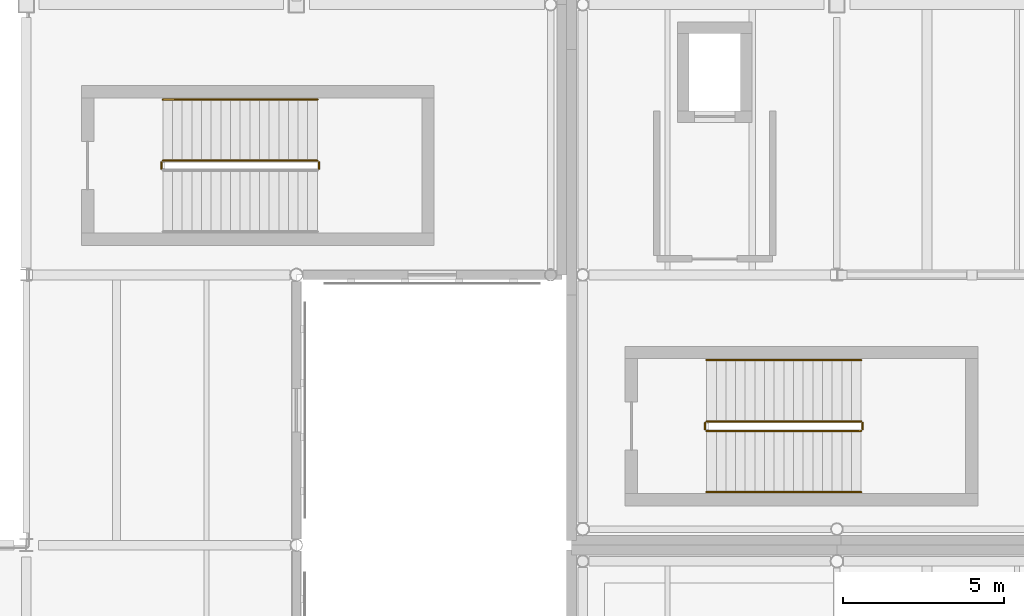
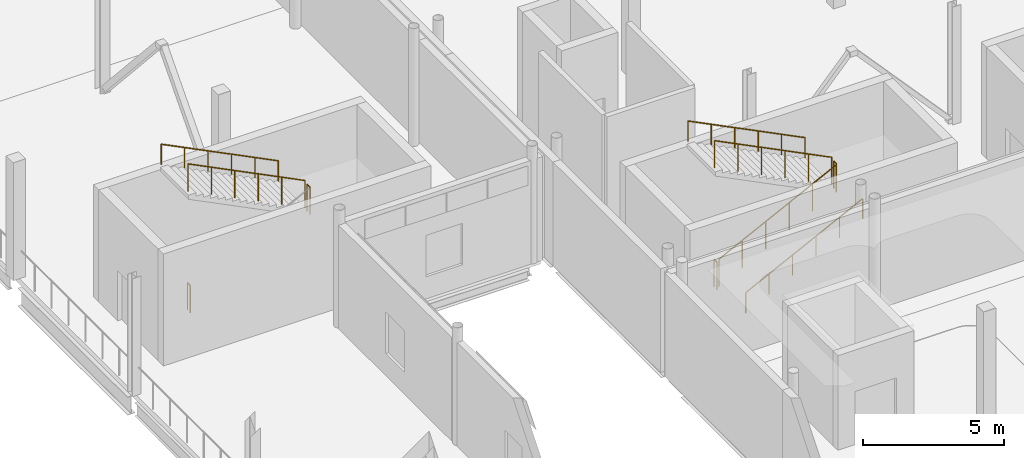
# One storey, part 93 of 104: 10 railings.
"""IFC4 building model written with IfcOpenShell, lengths in metres."""

from ifc_helpers import new_model, si_unit, direction, frame, origin, origin_2d, place, context, subcontext, project, spatial, circle, extrude, material, type_object, element, save


model = new_model("IFC4")

# Units and contexts
model_context = context("Model", 3, precision=1e-05, world=origin(), true_north=direction((0.0, 1.0)))
body_context = subcontext(model_context, "Body", "Model", "MODEL_VIEW")
ifc_project = project(units=[si_unit("LENGTHUNIT", "METRE"), si_unit("AREAUNIT", "SQUARE_METRE"), si_unit("VOLUMEUNIT", "CUBIC_METRE"), si_unit("PLANEANGLEUNIT", "RADIAN"), si_unit("MASSUNIT", "GRAM", prefix="KILO"), si_unit("THERMODYNAMICTEMPERATUREUNIT", "KELVIN")], contexts=[model_context])

# Site, building, storey
site_placement = place(None, origin())
site = spatial("IfcSite", under=ifc_project, at=site_placement, CompositionType="ELEMENT")
building_placement = place(site_placement, origin())
building = spatial("IfcBuilding", under=site, at=building_placement, Name="Lustrewick Department Store", CompositionType="ELEMENT")
storey_placement = place(building_placement, frame((0.0, 0.0, 11.39990234375)))
storey = spatial("IfcBuildingStorey", under=building, at=storey_placement, Name="L03", CompositionType="ELEMENT", Elevation=11.39990234375)

# Railings
ifc_material_1 = material(Name="Painted tubular steel stairwell guardrail", Category="steel")
railing_type_1 = type_object("IfcRailingType", Name="RL-STG", PredefinedType="GUARDRAIL", material=ifc_material_1)
railing_1_placement = place(storey_placement, frame((101.5, 62.10009765625, 2.550048828125)))
element("IfcRailing", 1, at=railing_1_placement, inside=storey, type_object=railing_type_1, Name="L03 ST05 Stair Guard 2", PredefinedType="GUARDRAIL", context=body_context, shape_type="SweptSolid", body=[
    extrude(circle(Radius=0.02392578125, at=origin_2d()), frame((0.0, 0.0, 1.17578125), z_axis=(0.0, 1.0, 0.0), x_axis=(-1.0, 0.0, 0.0)), (0.0, 0.0, 1.0), 0.199951171875),
    extrude(circle(Radius=0.02099609375, at=origin_2d()), origin(), (0.0, 0.0, 1.0), 1.15185546875),
    extrude(circle(Radius=0.02099609375, at=origin_2d()), frame((0.0, 0.199951171875, 0.0)), (0.0, 0.0, 1.0), 1.15185546875),
])
railing_2_placement = place(storey_placement, frame((101.449951171875, 62.35009765625, 2.7001953125)))
element("IfcRailing", 2, at=railing_2_placement, inside=storey, type_object=railing_type_1, Name="L03 ST05 Stair Guard 3", PredefinedType="GUARDRAIL", context=body_context, shape_type="SweptSolid", body=[
    extrude(circle(Radius=0.02392578125, at=origin_2d()), frame((0.0, 0.0, 1.17578125), z_axis=(-0.894436289399, 0.0, 0.44719539824), x_axis=(0.0, -1.0, 0.0)), (0.0, 0.0, 1.0), 5.366455078125),
    extrude(circle(Radius=0.02099609375, at=origin_2d()), origin(), (0.0, 0.0, 1.0), 1.15185546875),
    extrude(circle(Radius=0.02099609375, at=origin_2d()), frame((-0.9599609375, 0.0, 0.47998046875)), (0.0, 0.0, 1.0), 1.15185546875),
    extrude(circle(Radius=0.02099609375, at=origin_2d()), frame((-1.919921875, 0.0, 0.9599609375)), (0.0, 0.0, 1.0), 1.15185546875),
    extrude(circle(Radius=0.02099609375, at=origin_2d()), frame((-2.880126953125, 0.0, 1.43994140625)), (0.0, 0.0, 1.0), 1.15185546875),
    extrude(circle(Radius=0.02099609375, at=origin_2d()), frame((-3.840087890625, 0.0, 1.919921875)), (0.0, 0.0, 1.0), 1.15185546875),
    extrude(circle(Radius=0.02099609375, at=origin_2d()), frame((-4.800048828125, 0.0, 2.39990234375)), (0.0, 0.0, 1.0), 1.15185546875),
])
railing_3_placement = place(storey_placement, frame((96.60009765625, 62.10009765625, 0.0)))
element("IfcRailing", 3, at=railing_3_placement, inside=storey, type_object=railing_type_1, Name="L03 ST05 Stair Guard 4", PredefinedType="GUARDRAIL", context=body_context, shape_type="SweptSolid", body=[
    extrude(circle(Radius=0.02392578125, at=origin_2d()), frame((0.0, 0.0, 1.17578125), z_axis=(0.0, 1.0, 0.0), x_axis=(-1.0, 0.0, 0.0)), (0.0, 0.0, 1.0), 0.199951171875),
    extrude(circle(Radius=0.02099609375, at=origin_2d()), origin(), (0.0, 0.0, 1.0), 1.15185546875),
    extrude(circle(Radius=0.02099609375, at=origin_2d()), frame((0.0, 0.199951171875, 0.0)), (0.0, 0.0, 1.0), 1.15185546875),
])
railing_4_placement = place(storey_placement, frame((113.550048828125, 53.949951171875, 0.150146484375)))
element("IfcRailing", 4, at=railing_4_placement, inside=storey, type_object=railing_type_1, Name="L03 ST09 Stair Guard 1", PredefinedType="GUARDRAIL", context=body_context, shape_type="SweptSolid", body=[
    extrude(circle(Radius=0.02392578125, at=origin_2d()), frame((0.0, 0.0, 1.17578125), z_axis=(0.894436289399, 0.0, 0.44719539824), x_axis=(0.0, 1.0, 0.0)), (0.0, 0.0, 1.0), 5.366455078125),
    extrude(circle(Radius=0.02099609375, at=origin_2d()), origin(), (0.0, 0.0, 1.0), 1.15185546875),
    extrude(circle(Radius=0.02099609375, at=origin_2d()), frame((0.9599609375, 0.0, 0.47998046875)), (0.0, 0.0, 1.0), 1.15185546875),
    extrude(circle(Radius=0.02099609375, at=origin_2d()), frame((1.919921875, 0.0, 0.9599609375)), (0.0, 0.0, 1.0), 1.15185546875),
    extrude(circle(Radius=0.02099609375, at=origin_2d()), frame((2.880126953125, 0.0, 1.43994140625)), (0.0, 0.0, 1.0), 1.15185546875),
    extrude(circle(Radius=0.02099609375, at=origin_2d()), frame((3.840087890625, 0.0, 1.919921875)), (0.0, 0.0, 1.0), 1.15185546875),
    extrude(circle(Radius=0.02099609375, at=origin_2d()), frame((4.800048828125, 0.0, 2.39990234375)), (0.0, 0.0, 1.0), 1.15185546875),
])
railing_5_placement = place(storey_placement, frame((118.39990234375, 54.0, 2.550048828125)))
element("IfcRailing", 5, at=railing_5_placement, inside=storey, type_object=railing_type_1, Name="L03 ST09 Stair Guard 2", PredefinedType="GUARDRAIL", context=body_context, shape_type="SweptSolid", body=[
    extrude(circle(Radius=0.02392578125, at=origin_2d()), frame((0.0, 0.0, 1.17578125), z_axis=(0.0, 1.0, 0.0), x_axis=(-1.0, 0.0, 0.0)), (0.0, 0.0, 1.0), 0.199951171875),
    extrude(circle(Radius=0.02099609375, at=origin_2d()), origin(), (0.0, 0.0, 1.0), 1.15185546875),
    extrude(circle(Radius=0.02099609375, at=origin_2d()), frame((0.0, 0.199951171875, 0.0)), (0.0, 0.0, 1.0), 1.15185546875),
])
railing_6_placement = place(storey_placement, frame((118.35009765625, 54.25, 2.7001953125)))
element("IfcRailing", 6, at=railing_6_placement, inside=storey, type_object=railing_type_1, Name="L03 ST09 Stair Guard 3", PredefinedType="GUARDRAIL", context=body_context, shape_type="SweptSolid", body=[
    extrude(circle(Radius=0.02392578125, at=origin_2d()), frame((0.0, 0.0, 1.17578125), z_axis=(-0.894436289399, 0.0, 0.44719539824), x_axis=(0.0, -1.0, 0.0)), (0.0, 0.0, 1.0), 5.366455078125),
    extrude(circle(Radius=0.02099609375, at=origin_2d()), origin(), (0.0, 0.0, 1.0), 1.15185546875),
    extrude(circle(Radius=0.02099609375, at=origin_2d()), frame((-0.9599609375, 0.0, 0.47998046875)), (0.0, 0.0, 1.0), 1.15185546875),
    extrude(circle(Radius=0.02099609375, at=origin_2d()), frame((-1.919921875, 0.0, 0.9599609375)), (0.0, 0.0, 1.0), 1.15185546875),
    extrude(circle(Radius=0.02099609375, at=origin_2d()), frame((-2.880126953125, 0.0, 1.43994140625)), (0.0, 0.0, 1.0), 1.15185546875),
    extrude(circle(Radius=0.02099609375, at=origin_2d()), frame((-3.840087890625, 0.0, 1.919921875)), (0.0, 0.0, 1.0), 1.15185546875),
    extrude(circle(Radius=0.02099609375, at=origin_2d()), frame((-4.800048828125, 0.0, 2.39990234375)), (0.0, 0.0, 1.0), 1.15185546875),
])
railing_7_placement = place(storey_placement, frame((113.5, 54.0, 0.0)))
element("IfcRailing", 7, at=railing_7_placement, inside=storey, type_object=railing_type_1, Name="L03 ST09 Stair Guard 4", PredefinedType="GUARDRAIL", context=body_context, shape_type="SweptSolid", body=[
    extrude(circle(Radius=0.02392578125, at=origin_2d()), frame((0.0, 0.0, 1.17578125), z_axis=(0.0, 1.0, 0.0), x_axis=(-1.0, 0.0, 0.0)), (0.0, 0.0, 1.0), 0.199951171875),
    extrude(circle(Radius=0.02099609375, at=origin_2d()), origin(), (0.0, 0.0, 1.0), 1.15185546875),
    extrude(circle(Radius=0.02099609375, at=origin_2d()), frame((0.0, 0.199951171875, 0.0)), (0.0, 0.0, 1.0), 1.15185546875),
])
ifc_material_2 = material(Name="Brushed stainless steel wall handrail", Category="steel")
railing_type_2 = type_object("IfcRailingType", Name="RL-STH", PredefinedType="HANDRAIL", material=ifc_material_2)
railing_8_placement = place(storey_placement, frame((101.449951171875, 64.25, 2.7001953125)))
element("IfcRailing", 8, at=railing_8_placement, inside=storey, type_object=railing_type_2, Name="L03 ST05 Stair Handrail 2", PredefinedType="HANDRAIL", context=body_context, shape_type="SweptSolid", body=[
    extrude(circle(Radius=0.02392578125, at=origin_2d()), frame((0.0, 0.0, 0.8759765625), z_axis=(-0.894436289399, 0.0, 0.44719539824), x_axis=(0.0, -1.0, 0.0)), (0.0, 0.0, 1.0), 5.366455078125),
    extrude(circle(Radius=0.02099609375, at=origin_2d()), origin(), (0.0, 0.0, 1.0), 0.851806640625),
    extrude(circle(Radius=0.02099609375, at=origin_2d()), frame((-0.9599609375, 0.0, 0.47998046875)), (0.0, 0.0, 1.0), 0.851806640625),
    extrude(circle(Radius=0.02099609375, at=origin_2d()), frame((-1.919921875, 0.0, 0.9599609375)), (0.0, 0.0, 1.0), 0.851806640625),
    extrude(circle(Radius=0.02099609375, at=origin_2d()), frame((-2.880126953125, 0.0, 1.43994140625)), (0.0, 0.0, 1.0), 0.851806640625),
    extrude(circle(Radius=0.02099609375, at=origin_2d()), frame((-3.840087890625, 0.0, 1.919921875)), (0.0, 0.0, 1.0), 0.851806640625),
    extrude(circle(Radius=0.02099609375, at=origin_2d()), frame((-4.800048828125, 0.0, 2.39990234375)), (0.0, 0.0, 1.0), 0.851806640625),
])
railing_9_placement = place(storey_placement, frame((113.550048828125, 52.050048828125, 0.150146484375)))
element("IfcRailing", 9, at=railing_9_placement, inside=storey, type_object=railing_type_2, Name="L03 ST09 Stair Handrail 1", PredefinedType="HANDRAIL", context=body_context, shape_type="SweptSolid", body=[
    extrude(circle(Radius=0.02392578125, at=origin_2d()), frame((0.0, 0.0, 0.8759765625), z_axis=(0.894436289399, 0.0, 0.44719539824), x_axis=(0.0, 1.0, 0.0)), (0.0, 0.0, 1.0), 5.366455078125),
    extrude(circle(Radius=0.02099609375, at=origin_2d()), origin(), (0.0, 0.0, 1.0), 0.851806640625),
    extrude(circle(Radius=0.02099609375, at=origin_2d()), frame((0.9599609375, 0.0, 0.47998046875)), (0.0, 0.0, 1.0), 0.851806640625),
    extrude(circle(Radius=0.02099609375, at=origin_2d()), frame((1.919921875, 0.0, 0.9599609375)), (0.0, 0.0, 1.0), 0.851806640625),
    extrude(circle(Radius=0.02099609375, at=origin_2d()), frame((2.880126953125, 0.0, 1.43994140625)), (0.0, 0.0, 1.0), 0.851806640625),
    extrude(circle(Radius=0.02099609375, at=origin_2d()), frame((3.840087890625, 0.0, 1.919921875)), (0.0, 0.0, 1.0), 0.851806640625),
    extrude(circle(Radius=0.02099609375, at=origin_2d()), frame((4.800048828125, 0.0, 2.39990234375)), (0.0, 0.0, 1.0), 0.851806640625),
])
railing_10_placement = place(storey_placement, frame((118.35009765625, 56.14990234375, 2.7001953125)))
element("IfcRailing", 10, at=railing_10_placement, inside=storey, type_object=railing_type_2, Name="L03 ST09 Stair Handrail 2", PredefinedType="HANDRAIL", context=body_context, shape_type="SweptSolid", body=[
    extrude(circle(Radius=0.02392578125, at=origin_2d()), frame((0.0, 0.0, 0.8759765625), z_axis=(-0.894436289399, 0.0, 0.44719539824), x_axis=(0.0, -1.0, 0.0)), (0.0, 0.0, 1.0), 5.366455078125),
    extrude(circle(Radius=0.02099609375, at=origin_2d()), origin(), (0.0, 0.0, 1.0), 0.851806640625),
    extrude(circle(Radius=0.02099609375, at=origin_2d()), frame((-0.9599609375, 0.0, 0.47998046875)), (0.0, 0.0, 1.0), 0.851806640625),
    extrude(circle(Radius=0.02099609375, at=origin_2d()), frame((-1.919921875, 0.0, 0.9599609375)), (0.0, 0.0, 1.0), 0.851806640625),
    extrude(circle(Radius=0.02099609375, at=origin_2d()), frame((-2.880126953125, 0.0, 1.43994140625)), (0.0, 0.0, 1.0), 0.851806640625),
    extrude(circle(Radius=0.02099609375, at=origin_2d()), frame((-3.840087890625, 0.0, 1.919921875)), (0.0, 0.0, 1.0), 0.851806640625),
    extrude(circle(Radius=0.02099609375, at=origin_2d()), frame((-4.800048828125, 0.0, 2.39990234375)), (0.0, 0.0, 1.0), 0.851806640625),
])

save(model, "model.ifc")
